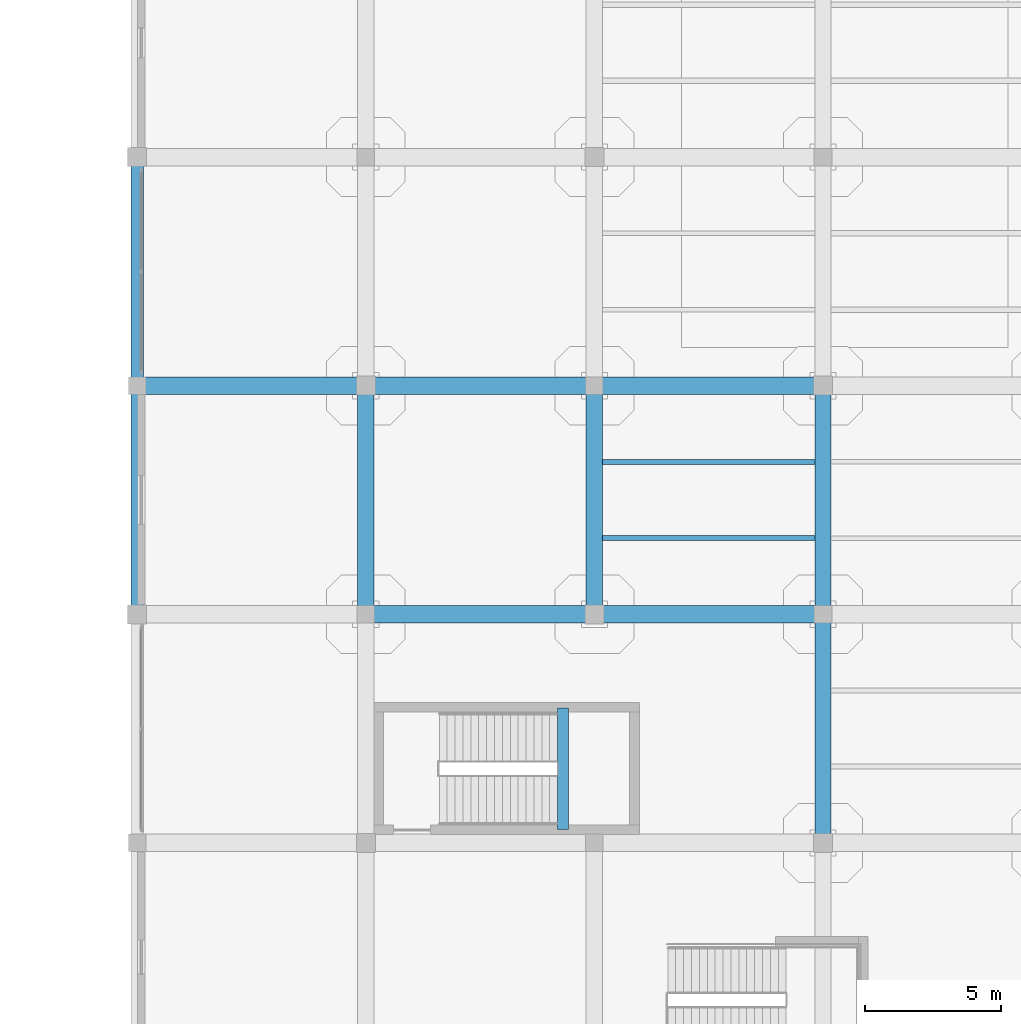
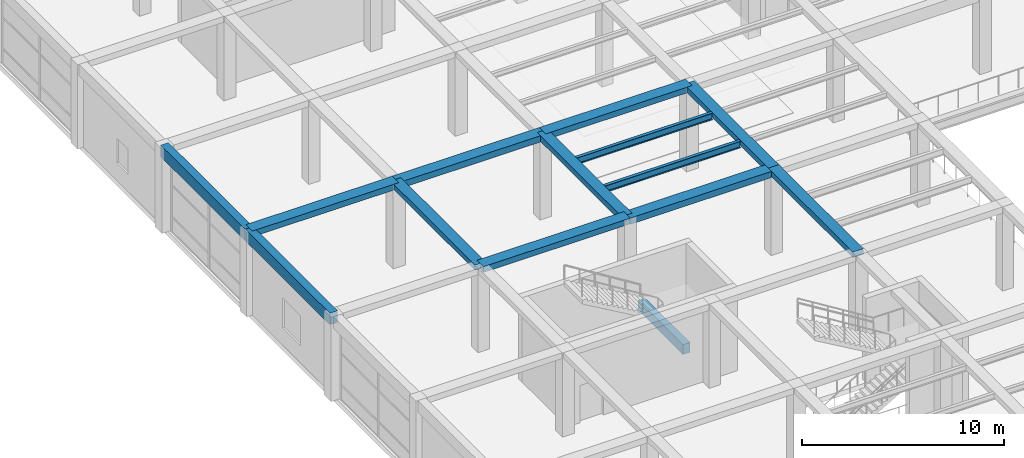
# One storey, part 30 of 96: 14 beams.
"""IFC4 building model written with IfcOpenShell, lengths in metres."""

from ifc_helpers import new_model, si_unit, direction, frame, origin, origin_2d, place, context, subcontext, project, spatial, rectangle, i_section, extrude, material, material_profile, profile_set, type_object, element, save


model = new_model("IFC4")

# Units and contexts
model_context = context("Model", 3, precision=1e-05, world=origin(), true_north=direction((0.0, 1.0)))
body_context = subcontext(model_context, "Body", "Model", "MODEL_VIEW")
ifc_project = project(units=[si_unit("LENGTHUNIT", "METRE"), si_unit("AREAUNIT", "SQUARE_METRE"), si_unit("VOLUMEUNIT", "CUBIC_METRE"), si_unit("PLANEANGLEUNIT", "RADIAN"), si_unit("MASSUNIT", "GRAM", prefix="KILO")], contexts=[model_context])

# Site, building, storey
site_placement = place(None, origin())
site = spatial("IfcSite", under=ifc_project, at=site_placement, CompositionType="ELEMENT")
building_placement = place(site_placement, origin())
building = spatial("IfcBuilding", under=site, at=building_placement, Name="Almacenes y Pasaje Nevantli", CompositionType="ELEMENT")
storey_placement = place(building_placement, frame((0.0, 0.0, 6.0)))
storey = spatial("IfcBuildingStorey", under=building, at=storey_placement, Name="L02", CompositionType="ELEMENT", Elevation=6.0)

# Beams
ifc_material_1 = material(Name="Concrete C35/45", Category="concrete")
ifc_material_profile_1 = material_profile(ifc_material_1, rectangle(XDim=0.39990234375, YDim=0.60009765625, at=origin_2d()), Name="RC-BM-400x600")
ifc_profile_set_1 = profile_set([ifc_material_profile_1], Name="Concrete C35/45")
beam_type_1 = type_object("IfcBeamType", Name="BM-RC-400x600", PredefinedType="SPANDREL", material=ifc_profile_set_1)
beam_1_placement = place(storey_placement, frame((15.64990234375, 59.300048828125, 2.199951171875), z_axis=(0.0, 1.0, 0.0), x_axis=(-1.0, 0.0, 0.0)))
element("IfcBeam", 1, at=beam_1_placement, inside=storey, type_object=beam_type_1, Name="L02 Stair ST-12 Half-Landing Support Beam", PredefinedType="SPANDREL", context=body_context, shape_type="SweptSolid", body=[
    extrude(rectangle(XDim=0.39990234375, YDim=0.60009765625, at=origin_2d()), origin(), (0.0, 0.0, 1.0), 4.449951171875),
])
ifc_material_2 = material(Name="Concrete C35/45", Category="concrete")
ifc_material_profile_2 = material_profile(ifc_material_2, rectangle(XDim=0.449951171875, YDim=0.699951171875, at=origin_2d()), Name="RC-BM-450x700")
ifc_profile_set_2 = profile_set([ifc_material_profile_2], Name="Concrete C35/45")
beam_type_2 = type_object("IfcBeamType", Name="BM-RC-450x700", PredefinedType="SPANDREL", material=ifc_profile_set_2)
beam_2_placement = place(storey_placement, frame((0.0, 67.199951171875, 4.75), z_axis=(0.0, 1.0, 0.0), x_axis=(-1.0, 0.0, 0.0)))
element("IfcBeam", 2, at=beam_2_placement, inside=storey, type_object=beam_type_2, Name="L02 North-South Reinforced Concrete Beam #1971", PredefinedType="SPANDREL", context=body_context, shape_type="SweptSolid", body=[
    extrude(rectangle(XDim=0.449951171875, YDim=0.699951171875, at=origin_2d()), origin(), (0.0, 0.0, 1.0), 8.400146484375),
])
beam_3_placement = place(storey_placement, frame((0.0, 75.60009765625, 4.75), z_axis=(0.0, 1.0, 0.0), x_axis=(-1.0, 0.0, 0.0)))
element("IfcBeam", 3, at=beam_3_placement, inside=storey, type_object=beam_type_2, Name="L02 North-South Reinforced Concrete Beam #1972", PredefinedType="SPANDREL", context=body_context, shape_type="SweptSolid", body=[
    extrude(rectangle(XDim=0.449951171875, YDim=0.699951171875, at=origin_2d()), origin(), (0.0, 0.0, 1.0), 8.39990234375),
])
ifc_material_3 = material(Name="Concrete C35/45", Category="concrete")
ifc_material_profile_3 = material_profile(ifc_material_3, rectangle(XDim=0.60009765625, YDim=0.320068359375, at=origin_2d()), Name="RC-BM-600x320")
ifc_profile_set_3 = profile_set([ifc_material_profile_3], Name="Concrete C35/45")
beam_type_3 = type_object("IfcBeamType", Name="BM-RC-600x320", PredefinedType="BEAM", material=ifc_profile_set_3)
for number, where, z_axis, x_axis, name in (
    (4, (8.39990234375, 67.199951171875, 4.93994140625), (0.0, 1.0, 0.0), (-1.0, 0.0, 0.0), "L02 North-South Reinforced Concrete Beam #1982"),
    (5, (25.199951171875, 67.199951171875, 4.93994140625), (0.0, 1.0, 0.0), (-1.0, 0.0, 0.0), "L02 North-South Reinforced Concrete Beam #2005"),
):
    element("IfcBeam", number, at=place(storey_placement, frame(where, z_axis=z_axis, x_axis=x_axis)), inside=storey, type_object=beam_type_3, Name=name, PredefinedType="BEAM", context=body_context, shape_type="SweptSolid", body=[
        extrude(rectangle(XDim=0.60009765625, YDim=0.320068359375, at=origin_2d()), origin(), (0.0, 0.0, 1.0), 8.400146484375),
    ])
ifc_material_4 = material(Name="Concrete C35/45", Category="concrete")
ifc_material_profile_4 = material_profile(ifc_material_4, rectangle(XDim=0.60009765625, YDim=0.340087890625, at=origin_2d()), Name="RC-BM-600x340")
ifc_profile_set_4 = profile_set([ifc_material_profile_4], Name="Concrete C35/45")
beam_type_4 = type_object("IfcBeamType", Name="BM-RC-600x340", PredefinedType="BEAM", material=ifc_profile_set_4)
beam_4_placement = place(storey_placement, frame((16.800048828125, 67.199951171875, 4.929931640625), z_axis=(0.0, 1.0, 0.0), x_axis=(-1.0, 0.0, 0.0)))
element("IfcBeam", 6, at=beam_4_placement, inside=storey, type_object=beam_type_4, Name="L02 North-South Reinforced Concrete Beam #1992", PredefinedType="BEAM", context=body_context, shape_type="SweptSolid", body=[
    extrude(rectangle(XDim=0.60009765625, YDim=0.340087890625, at=origin_2d()), origin(), (0.0, 0.0, 1.0), 8.400146484375),
])
beam_5_placement = place(storey_placement, frame((25.199951171875, 58.800048828125, 4.929931640625), z_axis=(0.0, 1.0, 0.0), x_axis=(-1.0, 0.0, 0.0)))
element("IfcBeam", 7, at=beam_5_placement, inside=storey, type_object=beam_type_4, Name="L02 North-South Reinforced Concrete Beam #2004", PredefinedType="BEAM", context=body_context, shape_type="SweptSolid", body=[
    extrude(rectangle(XDim=0.60009765625, YDim=0.340087890625, at=origin_2d()), origin(), (0.0, 0.0, 1.0), 8.39990234375),
])
ifc_material_5 = material(Name="Concrete C35/45", Category="concrete")
ifc_material_profile_5 = material_profile(ifc_material_5, rectangle(XDim=0.64990234375, YDim=0.35009765625, at=origin_2d()), Name="RC-BM-650x350")
ifc_profile_set_5 = profile_set([ifc_material_profile_5], Name="Concrete C35/45")
beam_type_5 = type_object("IfcBeamType", Name="BM-RC-650x350", PredefinedType="BEAM", material=ifc_profile_set_5)
beam_6_placement = place(storey_placement, frame((8.39990234375, 67.199951171875, 4.925048828125), z_axis=(1.0, 0.0, 0.0), x_axis=(0.0, 1.0, 0.0)))
element("IfcBeam", 8, at=beam_6_placement, inside=storey, type_object=beam_type_5, Name="L02 East-West Reinforced Concrete Beam #1848", PredefinedType="BEAM", context=body_context, shape_type="SweptSolid", body=[
    extrude(rectangle(XDim=0.64990234375, YDim=0.35009765625, at=origin_2d()), origin(), (0.0, 0.0, 1.0), 8.400146484375),
])
for number, where, z_axis, x_axis, name in (
    (9, (0.0, 75.60009765625, 4.925048828125), (1.0, 0.0, 0.0), (0.0, 1.0, 0.0), "L02 East-West Reinforced Concrete Beam #1861"),
    (10, (16.800048828125, 75.60009765625, 4.925048828125), (1.0, 0.0, 0.0), (0.0, 1.0, 0.0), "L02 East-West Reinforced Concrete Beam #1863"),
):
    element("IfcBeam", number, at=place(storey_placement, frame(where, z_axis=z_axis, x_axis=x_axis)), inside=storey, type_object=beam_type_5, Name=name, PredefinedType="BEAM", context=body_context, shape_type="SweptSolid", body=[
        extrude(rectangle(XDim=0.64990234375, YDim=0.35009765625, at=origin_2d()), origin(), (0.0, 0.0, 1.0), 8.39990234375),
    ])
ifc_material_6 = material(Name="Concrete C35/45", Category="concrete")
ifc_material_profile_6 = material_profile(ifc_material_6, rectangle(XDim=0.64990234375, YDim=0.3798828125, at=origin_2d()), Name="RC-BM-650x380")
ifc_profile_set_6 = profile_set([ifc_material_profile_6], Name="Concrete C35/45")
beam_type_6 = type_object("IfcBeamType", Name="BM-RC-650x380", PredefinedType="BEAM", material=ifc_profile_set_6)
beam_7_placement = place(storey_placement, frame((16.800048828125, 67.199951171875, 4.909912109375), z_axis=(1.0, 0.0, 0.0), x_axis=(0.0, 1.0, 0.0)))
element("IfcBeam", 11, at=beam_7_placement, inside=storey, type_object=beam_type_6, Name="L02 East-West Reinforced Concrete Beam #1849", PredefinedType="BEAM", context=body_context, shape_type="SweptSolid", body=[
    extrude(rectangle(XDim=0.64990234375, YDim=0.3798828125, at=origin_2d()), origin(), (0.0, 0.0, 1.0), 8.39990234375),
])
beam_8_placement = place(storey_placement, frame((8.39990234375, 75.60009765625, 4.909912109375), z_axis=(1.0, 0.0, 0.0), x_axis=(0.0, 1.0, 0.0)))
element("IfcBeam", 12, at=beam_8_placement, inside=storey, type_object=beam_type_6, Name="L02 East-West Reinforced Concrete Beam #1862", PredefinedType="BEAM", context=body_context, shape_type="SweptSolid", body=[
    extrude(rectangle(XDim=0.64990234375, YDim=0.3798828125, at=origin_2d()), origin(), (0.0, 0.0, 1.0), 8.400146484375),
])
ifc_material_7 = material(Name="Steel ASTM A992", Category="steel")
ifc_material_profile_7 = material_profile(ifc_material_7, i_section(OverallWidth=0.178955078125, OverallDepth=0.406005859375, WebThickness=0.0087890625, FlangeThickness=0.014404296875, at=origin_2d()), Name="IR 406x67.0")
ifc_profile_set_7 = profile_set([ifc_material_profile_7], Name="Steel ASTM A992")
beam_type_7 = type_object("IfcBeamType", Name="BM-STL-IR-406x67p0", PredefinedType="JOIST", material=ifc_profile_set_7)
for number, where, z_axis, x_axis, name in (
    (13, (17.10009765625, 70.0, 4.888916015625), (1.0, 0.0, 0.0), (0.0, 1.0, 0.0), "L02 Secondary Steel Floor Joist #349"),
    (14, (17.10009765625, 72.800048828125, 4.888916015625), (1.0, 0.0, 0.0), (0.0, 1.0, 0.0), "L02 Secondary Steel Floor Joist #350"),
):
    element("IfcBeam", number, at=place(storey_placement, frame(where, z_axis=z_axis, x_axis=x_axis)), inside=storey, type_object=beam_type_7, Name=name, PredefinedType="JOIST", context=body_context, shape_type="SweptSolid", body=[
        extrude(i_section(OverallWidth=0.178955078125, OverallDepth=0.406005859375, WebThickness=0.0087890625, FlangeThickness=0.014404296875, at=origin_2d()), origin(), (0.0, 0.0, 1.0), 7.7998046875),
    ])

save(model, "model.ifc")
